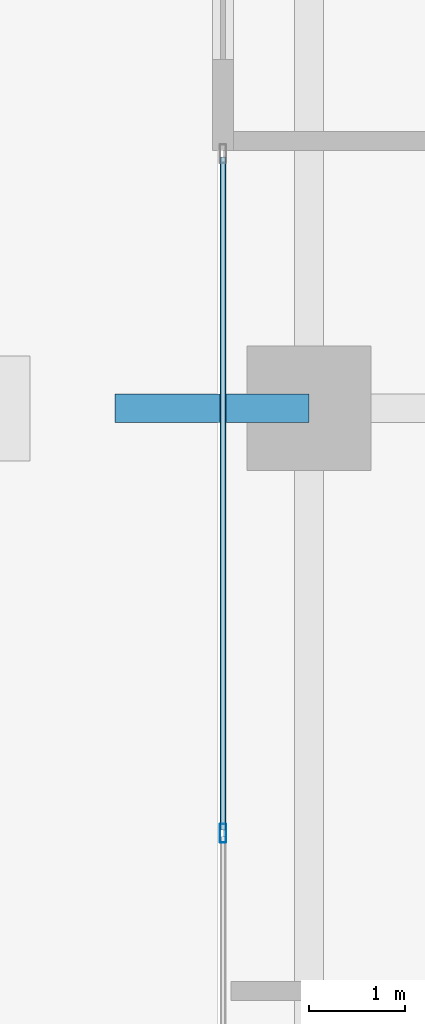
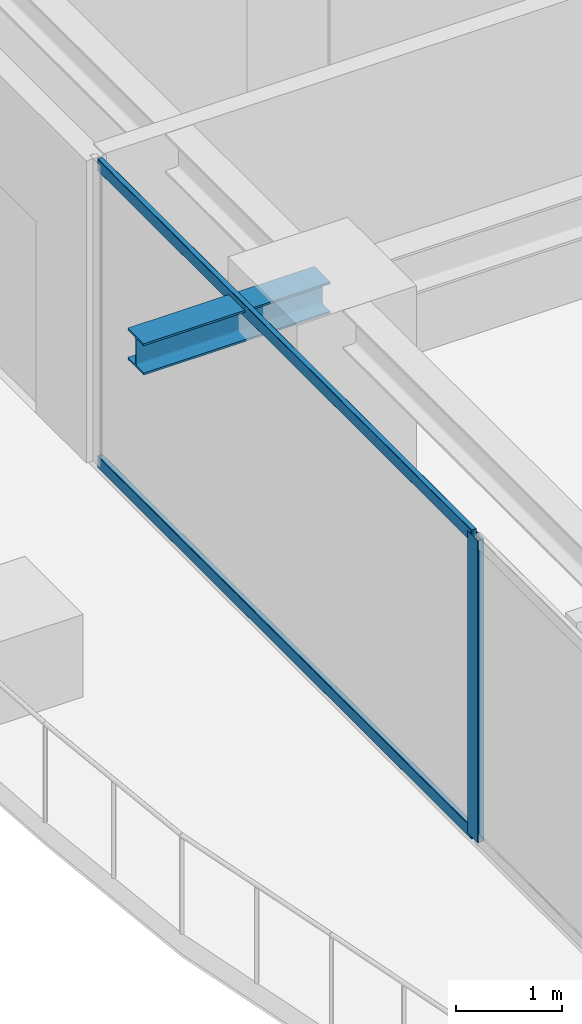
# One storey, part 7 of 34: 3 members, 1 beam, 1 element without a shape of its own.
"""IFC4 building model written with IfcOpenShell, lengths in metres."""

from ifc_helpers import new_model, si_unit, direction, frame, origin, origin_2d, place, context, subcontext, project, spatial, hollow_rectangle, i_section, extrude, source, transform, mapped, material, layer, layer_set, material_profile, profile_set, type_object, element, aggregate, save


model = new_model("IFC4")

# Units and contexts
model_context = context("Model", 3, precision=1e-05, world=origin(), true_north=direction((0.0, 1.0)))
body_context = subcontext(model_context, "Body", "Model", "MODEL_VIEW")
ifc_project = project(units=[si_unit("LENGTHUNIT", "METRE"), si_unit("AREAUNIT", "SQUARE_METRE"), si_unit("VOLUMEUNIT", "CUBIC_METRE"), si_unit("PLANEANGLEUNIT", "RADIAN"), si_unit("MASSUNIT", "GRAM", prefix="KILO")], contexts=[model_context])

# Site, building, storey
site_placement = place(None, origin())
site = spatial("IfcSite", under=ifc_project, at=site_placement, CompositionType="ELEMENT")
building_placement = place(site_placement, origin())
building = spatial("IfcBuilding", under=site, at=building_placement, Name="Serunith Strait Residences", CompositionType="ELEMENT")
storey_placement = place(building_placement, frame((0.0, 0.0, 142.64990234375)))
storey = spatial("IfcBuildingStorey", under=building, at=storey_placement, Name="L35", CompositionType="ELEMENT", Elevation=142.64990234375)

# Beam
ifc_material_1 = material(Name="Steel S355J2", Category="steel")
ifc_material_profile_1 = material_profile(ifc_material_1, i_section(OverallWidth=0.300048828125, OverallDepth=0.360107421875, WebThickness=0.012451171875, FlangeThickness=0.0224609375, FilletRadius=0.027099609375, at=origin_2d()), Name="HEB 360")
ifc_profile_set_1 = profile_set([ifc_material_profile_1], Name="Steel S355J2")
beam_type = type_object("IfcBeamType", Name="BM-HEB360", PredefinedType="BEAM", material=ifc_profile_set_1)
shared_shape_1 = source(origin(), body_context, "Body", "SweptSolid", [
    extrude(i_section(OverallWidth=0.300048828125, OverallDepth=0.360107421875, WebThickness=0.012451171875, FlangeThickness=0.0224609375, FilletRadius=0.027099609375, at=origin_2d()), origin(), (0.0, 0.0, 1.0), 2.030029296875),
])
beam_placement = place(storey_placement, frame((8.699951171875, 21.0, 3.277099609375), z_axis=(-1.0, 0.0, 0.0), x_axis=(0.0, -1.0, 0.0)))
element("IfcBeam", 1, at=beam_placement, inside=storey, type_object=beam_type, Name="L36 Cantilevered Balcony Rib TC-W2", PredefinedType="BEAM", context=body_context, shape_type="MappedRepresentation", body=[
    mapped(shared_shape_1, transform((0.0, 0.0, 0.0), scale=1.0)),
])

# Curtain wall, members
ifc_material_2 = material(Name="Pale-Champagne Anodised Aluminium", Category="aluminium")
ifc_layer = layer(ifc_material_2, 0.199951171875, Name="Pale-Champagne Anodised Aluminium")
ifc_layer_set = layer_set([ifc_layer], Name="Pale-Champagne Anodised Aluminium")
curtain_wall_type = type_object("IfcCurtainWallType", Name="CW-SYS2", PredefinedType="NOTDEFINED", material=ifc_layer_set)
curtain_wall_placement = place(storey_placement, origin())
curtain_wall = element("IfcCurtainWall", 2, at=curtain_wall_placement, inside=storey, type_object=curtain_wall_type, Name="L35 W Unitised Fritted Curtain Wall", PredefinedType="NOTDEFINED")
ifc_material_profile_2 = material_profile(ifc_material_2, hollow_rectangle(XDim=0.070068359375, YDim=0.199951171875, WallThickness=0.00390625, InnerFilletRadius=0.006103515625, OuterFilletRadius=0.010009765625, at=origin_2d()), Name="ALU 200x70x4")
ifc_profile_set_2 = profile_set([ifc_material_profile_2], Name="Pale-Champagne Anodised Aluminium")
member_type_1 = type_object("IfcMemberType", Name="CW-SYS2-MULL", PredefinedType="MULLION", material=ifc_profile_set_2)
shared_shape_2 = source(origin(), body_context, "Body", "SweptSolid", [
    extrude(hollow_rectangle(XDim=0.070068359375, YDim=0.199951171875, WallThickness=0.00390625, InnerFilletRadius=0.006103515625, OuterFilletRadius=0.010009765625, at=origin_2d()), origin(), (0.0, 0.0, 1.0), 3.47509765625),
])
member_1_placement = place(storey_placement, frame((7.800048828125, 16.550048828125, 0.0), z_axis=(0.0, 0.0, 1.0), x_axis=(1.0, 0.0, 0.0)))
member_1 = element("IfcMember", 3, at=member_1_placement, type_object=member_type_1, Name="CW-2 mullion 2", PredefinedType="MULLION", context=body_context, shape_type="MappedRepresentation", body=[
    mapped(shared_shape_2, transform((0.0, 0.0, 0.0), scale=1.0)),
])
ifc_material_profile_3 = material_profile(ifc_material_2, hollow_rectangle(XDim=0.06005859375, YDim=0.139892578125, WallThickness=0.00341796875, InnerFilletRadius=0.00537109375, OuterFilletRadius=0.0087890625, at=origin_2d()), Name="ALU 140x60x3.5")
ifc_profile_set_3 = profile_set([ifc_material_profile_3], Name="Pale-Champagne Anodised Aluminium")
member_type_2 = type_object("IfcMemberType", Name="CW-SYS2-TRAN", PredefinedType="USERDEFINED", material=ifc_profile_set_3)
shared_shape_3 = source(origin(), body_context, "Body", "SweptSolid", [
    extrude(hollow_rectangle(XDim=0.06005859375, YDim=0.139892578125, WallThickness=0.00341796875, InnerFilletRadius=0.00537109375, OuterFilletRadius=0.0087890625, at=origin_2d()), origin(), (0.0, 0.0, 1.0), 7.044921875),
])
member_2_placement = place(storey_placement, frame((7.800048828125, 23.6298828125, 0.030029296875), z_axis=(0.0, -1.0, 0.0), x_axis=(1.0, 0.0, 0.0)))
member_2 = element("IfcMember", 4, at=member_2_placement, type_object=member_type_2, Name="CW-2 transom 1.1", ObjectType="TRANSOM", PredefinedType="USERDEFINED", context=body_context, shape_type="MappedRepresentation", body=[
    mapped(shared_shape_3, transform((0.0, 0.0, 0.0), scale=1.0)),
])
member_3_placement = place(storey_placement, frame((7.800048828125, 23.6298828125, 3.445068359375), z_axis=(0.0, -1.0, 0.0), x_axis=(1.0, 0.0, 0.0)))
member_3 = element("IfcMember", 5, at=member_3_placement, type_object=member_type_2, Name="CW-2 transom 1.2", ObjectType="TRANSOM", PredefinedType="USERDEFINED", context=body_context, shape_type="MappedRepresentation", body=[
    mapped(shared_shape_3, transform((0.0, 0.0, 0.0), scale=1.0)),
])
aggregate(curtain_wall, [member_1, member_2, member_3])

save(model, "model.ifc")
